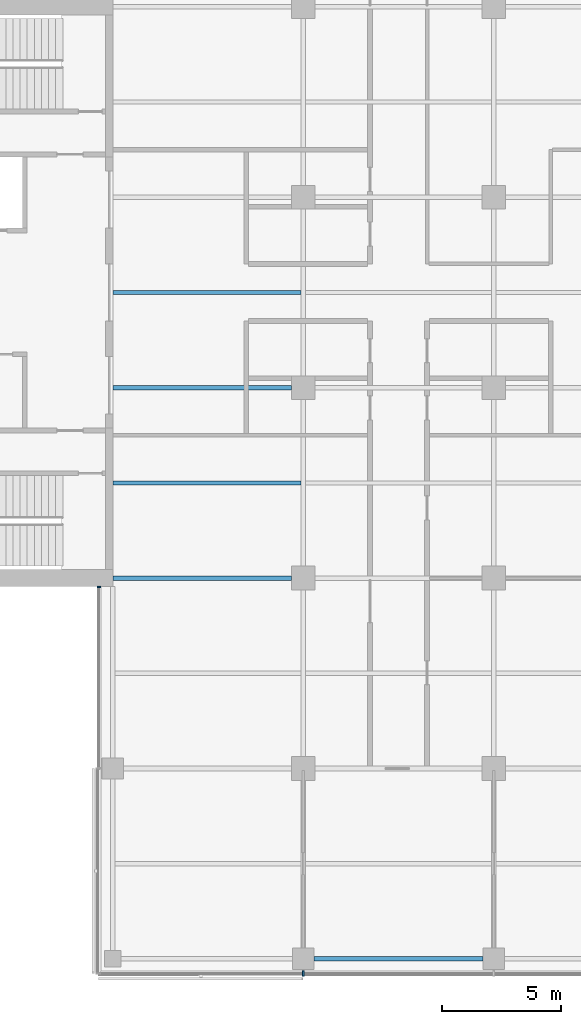
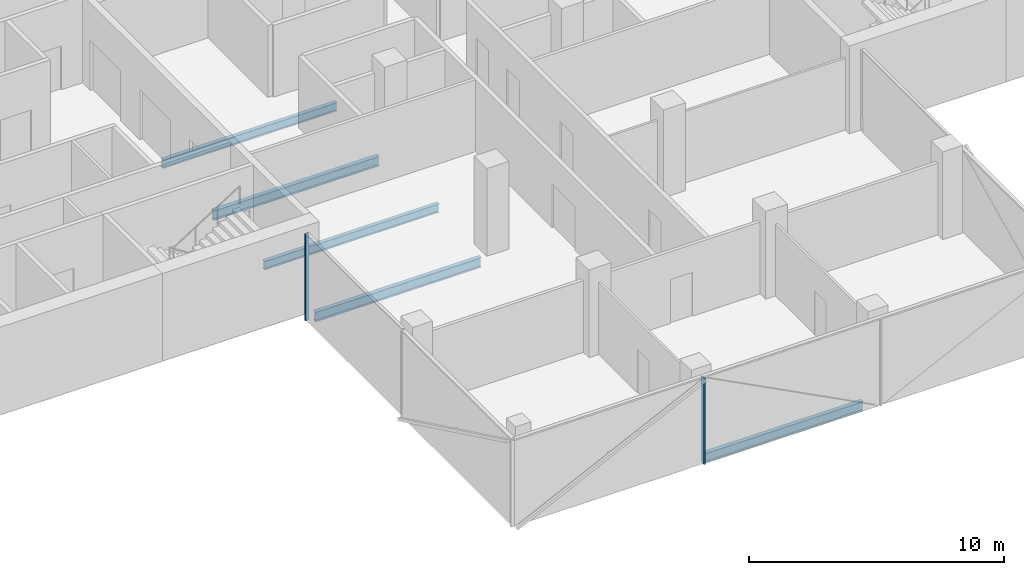
# One storey, part 4 of 22: 5 beams, 2 members, 2 elements without a shape of their own.
"""IFC4 building model written with IfcOpenShell, lengths in metres."""

from ifc_helpers import new_model, si_unit, direction, frame, origin, origin_2d, place, context, subcontext, project, spatial, rectangle, i_section, extrude, material, material_profile, profile_set, type_object, element, aggregate, save


model = new_model("IFC4")

# Units and contexts
model_context = context("Model", 3, precision=1e-05, world=origin(), true_north=direction((0.0, 1.0)))
body_context = subcontext(model_context, "Body", "Model", "MODEL_VIEW")
ifc_project = project(units=[si_unit("LENGTHUNIT", "METRE"), si_unit("AREAUNIT", "SQUARE_METRE"), si_unit("VOLUMEUNIT", "CUBIC_METRE"), si_unit("PLANEANGLEUNIT", "RADIAN"), si_unit("MASSUNIT", "GRAM", prefix="KILO")], contexts=[model_context])

# Site, building, storey
site_placement = place(None, origin())
site = spatial("IfcSite", under=ifc_project, at=site_placement, CompositionType="ELEMENT")
building_placement = place(site_placement, origin())
building = spatial("IfcBuilding", under=site, at=building_placement, Name="Crosswind Convention Tower", CompositionType="ELEMENT")
storey_placement = place(building_placement, frame((0.0, 0.0, 121.10009765625)))
storey = spatial("IfcBuildingStorey", under=building, at=storey_placement, Name="L24", CompositionType="ELEMENT", Elevation=121.10009765625)

# Beams
ifc_material_1 = material(Name="Steel S355", Category="steel")
ifc_material_profile_1 = material_profile(ifc_material_1, i_section(OverallWidth=0.18994140625, OverallDepth=0.45361328125, WebThickness=0.008544921875, FlangeThickness=0.0126953125, FilletRadius=0.01025390625, at=origin_2d()), Name="UB 457x191x67")
ifc_profile_set_1 = profile_set([ifc_material_profile_1], Name="Steel S355")
beam_type_1 = type_object("IfcBeamType", Name="Edge beam UB 457x191x67", PredefinedType="SPANDREL", material=ifc_profile_set_1)
beam_placement = place(storey_placement, frame((121.449951171875, 72.0, -0.52685546875), z_axis=(1.0, 0.0, 0.0), x_axis=(0.0, 1.0, 0.0)))
element("IfcBeam", 1, at=beam_placement, inside=storey, type_object=beam_type_1, Name="B16 L24 edge beam 12", PredefinedType="SPANDREL", context=body_context, shape_type="SweptSolid", body=[
    extrude(i_section(OverallWidth=0.18994140625, OverallDepth=0.45361328125, WebThickness=0.008544921875, FlangeThickness=0.0126953125, FilletRadius=0.01025390625, at=origin_2d()), origin(), (0.0, 0.0, 1.0), 7.10009765625),
])
ifc_material_profile_2 = material_profile(ifc_material_1, i_section(OverallWidth=0.19189453125, OverallDepth=0.463623046875, WebThickness=0.010498046875, FlangeThickness=0.017578125, FilletRadius=0.01025390625, at=origin_2d()), Name="UB 457x191x90")
ifc_profile_set_2 = profile_set([ifc_material_profile_2], Name="Steel S355")
beam_type_2 = type_object("IfcBeamType", Name="Girder at core wall UB 457x191x90", PredefinedType="BEAM", material=ifc_profile_set_2)
for number, where, z_axis, x_axis, name in (
    (2, (113.0, 88.0, -0.531982421875), (1.0, 0.0, 0.0), (0.0, 1.0, 0.0), "B24 L24 girder at core wall 3"),
    (3, (113.0, 96.0, -0.531982421875), (1.0, 0.0, 0.0), (0.0, 1.0, 0.0), "B24 L24 girder at core wall 4"),
):
    element("IfcBeam", number, at=place(storey_placement, frame(where, z_axis=z_axis, x_axis=x_axis)), inside=storey, type_object=beam_type_2, Name=name, PredefinedType="BEAM", context=body_context, shape_type="SweptSolid", body=[
        extrude(i_section(OverallWidth=0.19189453125, OverallDepth=0.463623046875, WebThickness=0.010498046875, FlangeThickness=0.017578125, FilletRadius=0.01025390625, at=origin_2d()), origin(), (0.0, 0.0, 1.0), 7.5),
    ])

# Curtain wall, member
ifc_material_2 = material(Name="Aluminium unitised curtain wall", Category="aluminium")
curtain_wall_type_1 = type_object("IfcCurtainWallType", Name="CORE END SLOT WALL 160", PredefinedType="USERDEFINED", material=ifc_material_2)
curtain_wall_1_placement = place(storey_placement, origin())
curtain_wall_1 = element("IfcCurtainWall", 4, at=curtain_wall_1_placement, inside=storey, type_object=curtain_wall_type_1, Name="CW6 L24 S-W.1-1 slot", ObjectType="UNITISED", PredefinedType="USERDEFINED")
ifc_material_3 = material(Name="Aluminium mullion", Category="aluminium")
ifc_material_profile_3 = material_profile(ifc_material_3, rectangle(XDim=0.159912109375, YDim=0.050048828125, at=origin_2d()), Name="AL 160X50")
ifc_profile_set_3 = profile_set([ifc_material_profile_3], Name="Aluminium mullion")
member_type_1 = type_object("IfcMemberType", Name="MULLION 50X160", PredefinedType="MULLION", material=ifc_profile_set_3)
member_1_placement = place(storey_placement, frame((112.419921875, 87.625, -0.300048828125), z_axis=(0.0, 0.0, 1.0), x_axis=(-1.0, 0.0, 0.0)))
member_1 = element("IfcMember", 5, at=member_1_placement, type_object=member_type_1, Name="CW6 mullion 1", PredefinedType="MULLION", context=body_context, shape_type="SweptSolid", body=[
    extrude(rectangle(XDim=0.159912109375, YDim=0.050048828125, at=origin_2d()), origin(), (0.0, 0.0, 1.0), 4.14990234375),
])
aggregate(curtain_wall_1, [member_1])

curtain_wall_type_2 = type_object("IfcCurtainWallType", Name="OFFICE UNITISED WALL 220", PredefinedType="USERDEFINED", material=ifc_material_2)
curtain_wall_2_placement = place(storey_placement, origin())
curtain_wall_2 = element("IfcCurtainWall", 6, at=curtain_wall_2_placement, inside=storey, type_object=curtain_wall_type_2, Name="CW3 L24 S-TIP 1", ObjectType="UNITISED", PredefinedType="USERDEFINED")
ifc_material_profile_4 = material_profile(ifc_material_3, rectangle(XDim=0.219970703125, YDim=0.070068359375, at=origin_2d()), Name="AL 220X70")
ifc_profile_set_4 = profile_set([ifc_material_profile_4], Name="Aluminium mullion")
member_type_2 = type_object("IfcMemberType", Name="MULLION 70X220", PredefinedType="MULLION", material=ifc_profile_set_4)
member_2_placement = place(storey_placement, frame((121.0, 71.389892578125, -0.300048828125), z_axis=(0.0, 0.0, 1.0), x_axis=(0.0, -1.0, 0.0)))
member_2 = element("IfcMember", 7, at=member_2_placement, type_object=member_type_2, Name="CW3 mullion 2", PredefinedType="MULLION", context=body_context, shape_type="SweptSolid", body=[
    extrude(rectangle(XDim=0.219970703125, YDim=0.070068359375, at=origin_2d()), origin(), (0.0, 0.0, 1.0), 4.1298828125),
])
aggregate(curtain_wall_2, [member_2])

# Beams
ifc_material_profile_5 = material_profile(ifc_material_1, i_section(OverallWidth=0.177734375, OverallDepth=0.406494140625, WebThickness=0.0078125, FlangeThickness=0.0126953125, FilletRadius=0.01025390625, at=origin_2d()), Name="UB 406x178x60")
ifc_profile_set_5 = profile_set([ifc_material_profile_5], Name="Steel S355")
beam_type_3 = type_object("IfcBeamType", Name="Secondary beam UB 406x178x60", PredefinedType="JOIST", material=ifc_profile_set_5)
for number, where, z_axis, x_axis, name in (
    (8, (113.0, 92.0, -0.50341796875), (1.0, 0.0, 0.0), (0.0, 1.0, 0.0), "B10 L24 secondary beam 4"),
    (9, (113.0, 100.0, -0.50341796875), (1.0, 0.0, 0.0), (0.0, 1.0, 0.0), "B10 L24 secondary beam 5"),
):
    element("IfcBeam", number, at=place(storey_placement, frame(where, z_axis=z_axis, x_axis=x_axis)), inside=storey, type_object=beam_type_3, Name=name, PredefinedType="JOIST", context=body_context, shape_type="SweptSolid", body=[
        extrude(i_section(OverallWidth=0.177734375, OverallDepth=0.406494140625, WebThickness=0.0078125, FlangeThickness=0.0126953125, FilletRadius=0.01025390625, at=origin_2d()), origin(), (0.0, 0.0, 1.0), 7.904296875),
    ])

save(model, "model.ifc")
